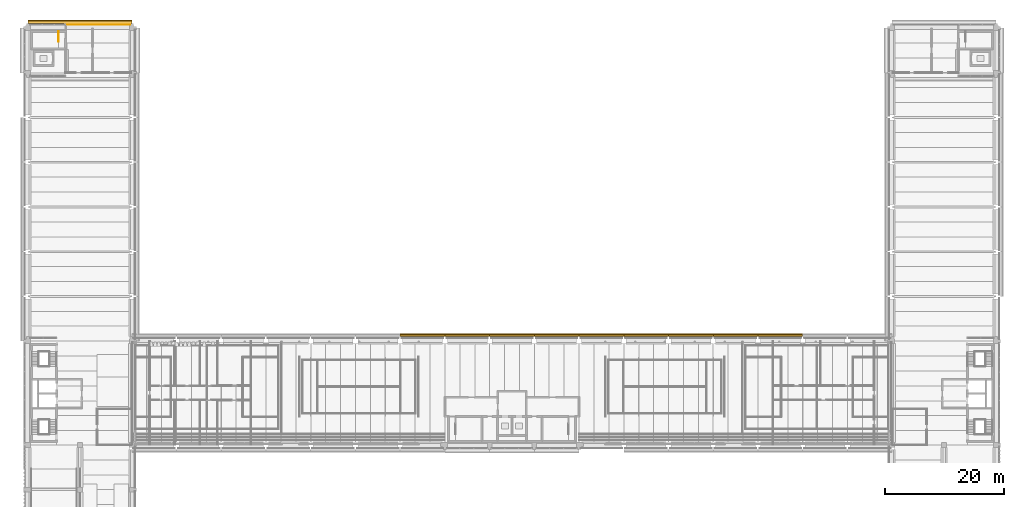
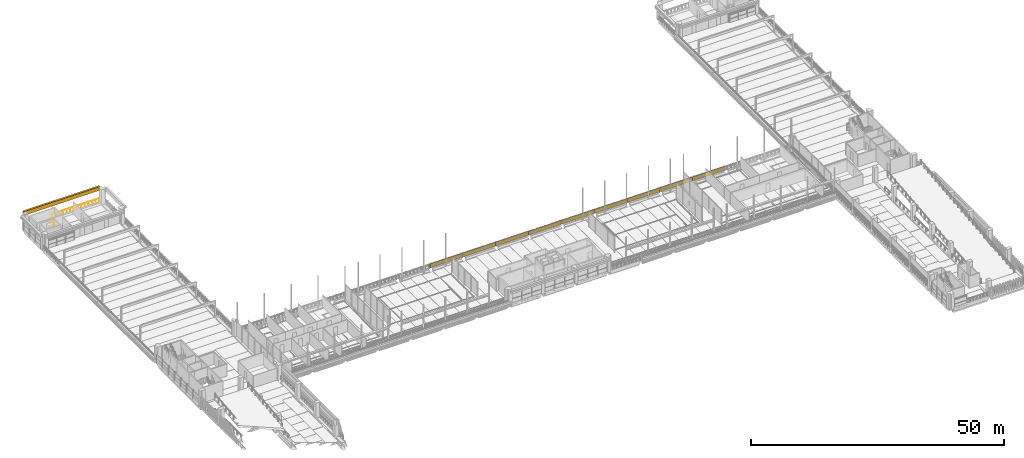
# One storey, part 53 of 62: 10 coverings, 2 railings.
"""IFC4 building model written with IfcOpenShell, lengths in metres."""

from ifc_helpers import new_model, si_unit, direction, frame, origin, origin_2d, place, context, subcontext, project, spatial, polyline, circle, outline, extrude, material, layer, layer_set, type_object, element, save


model = new_model("IFC4")

# Units and contexts
model_context = context("Model", 3, precision=1e-05, world=origin(), true_north=direction((0.0, 1.0)))
body_context = subcontext(model_context, "Body", "Model", "MODEL_VIEW")
ifc_project = project(units=[si_unit("LENGTHUNIT", "METRE"), si_unit("AREAUNIT", "SQUARE_METRE"), si_unit("VOLUMEUNIT", "CUBIC_METRE"), si_unit("PLANEANGLEUNIT", "RADIAN"), si_unit("MASSUNIT", "GRAM", prefix="KILO")], contexts=[model_context])

# Site, building, storey
site_placement = place(None, origin())
site = spatial("IfcSite", under=ifc_project, at=site_placement, CompositionType="ELEMENT")
building_placement = place(site_placement, origin())
building = spatial("IfcBuilding", under=site, at=building_placement, Name="Cour d'Honneur Mobility Palace", CompositionType="ELEMENT")
storey_placement = place(building_placement, frame((0.0, 0.0, 19.300048828125)))
storey = spatial("IfcBuildingStorey", under=building, at=storey_placement, Name="L05", CompositionType="ELEMENT", Elevation=19.300048828125)

# Railing
ifc_material_1 = material(Name="Painted steel", Category="steel")
railing_type_1 = type_object("IfcRailingType", Name="Balustrade", PredefinedType="BALUSTRADE", material=ifc_material_1)
railing_1_placement = place(storey_placement, frame((17.10009765625, 115.449951171875, 0.300048828125)))
element("IfcRailing", 1, at=railing_1_placement, inside=storey, type_object=railing_type_1, Name="Balustrade BAL-331", PredefinedType="BALUSTRADE", context=body_context, shape_type="SweptSolid", body=[
    extrude(circle(Radius=0.02392578125, at=origin_2d()), frame((0.0, 0.0, 0.77587890625), z_axis=(-1.0, 0.0, 0.0), x_axis=(0.0, -1.0, 0.0)), (0.0, 0.0, 1.0), 10.800048828125),
    extrude(circle(Radius=0.02099609375, at=origin_2d()), origin(), (0.0, 0.0, 1.0), 0.751953125),
    extrude(circle(Radius=0.02099609375, at=origin_2d()), frame((-0.830810546875, 0.0, 0.0)), (0.0, 0.0, 1.0), 0.751953125),
    extrude(circle(Radius=0.02099609375, at=origin_2d()), frame((-1.66162109375, 0.0, 0.0)), (0.0, 0.0, 1.0), 0.751953125),
    extrude(circle(Radius=0.02099609375, at=origin_2d()), frame((-2.492431640625, 0.0, 0.0)), (0.0, 0.0, 1.0), 0.751953125),
    extrude(circle(Radius=0.02099609375, at=origin_2d()), frame((-3.322998046875, 0.0, 0.0)), (0.0, 0.0, 1.0), 0.751953125),
    extrude(circle(Radius=0.02099609375, at=origin_2d()), frame((-4.15380859375, 0.0, 0.0)), (0.0, 0.0, 1.0), 0.751953125),
    extrude(circle(Radius=0.02099609375, at=origin_2d()), frame((-4.984619140625, 0.0, 0.0)), (0.0, 0.0, 1.0), 0.751953125),
    extrude(circle(Radius=0.02099609375, at=origin_2d()), frame((-5.8154296875, 0.0, 0.0)), (0.0, 0.0, 1.0), 0.751953125),
    extrude(circle(Radius=0.02099609375, at=origin_2d()), frame((-6.646240234375, 0.0, 0.0)), (0.0, 0.0, 1.0), 0.751953125),
    extrude(circle(Radius=0.02099609375, at=origin_2d()), frame((-7.47705078125, 0.0, 0.0)), (0.0, 0.0, 1.0), 0.751953125),
    extrude(circle(Radius=0.02099609375, at=origin_2d()), frame((-8.3076171875, 0.0, 0.0)), (0.0, 0.0, 1.0), 0.751953125),
    extrude(circle(Radius=0.02099609375, at=origin_2d()), frame((-9.138427734375, 0.0, 0.0)), (0.0, 0.0, 1.0), 0.751953125),
    extrude(circle(Radius=0.02099609375, at=origin_2d()), frame((-9.96923828125, 0.0, 0.0)), (0.0, 0.0, 1.0), 0.751953125),
    extrude(circle(Radius=0.02099609375, at=origin_2d()), frame((-10.800048828125, 0.0, 0.0)), (0.0, 0.0, 1.0), 0.751953125),
])

# Coverings
ifc_material_2 = material(Name="Cast limestone", Category="masonry")
ifc_layer = layer(ifc_material_2, 0.5)
ifc_layer_set = layer_set([ifc_layer], Name="Cast limestone")
covering_type = type_object("IfcCoveringType", Name="Crown cornice", PredefinedType="CLADDING", material=ifc_layer_set)
for number, where, z_axis, x_axis, name in (
    (2, (129.89990234375, 63.199951171875, 0.099853515625), (1.0, 0.0, 0.0), (0.0, 1.0, 0.0), "Crown cornice CN-27"),
    (3, (122.39990234375, 63.199951171875, 0.099853515625), (1.0, 0.0, 0.0), (0.0, 1.0, 0.0), "Crown cornice CN-28"),
    (4, (114.89990234375, 63.199951171875, 0.099853515625), (1.0, 0.0, 0.0), (0.0, 1.0, 0.0), "Crown cornice CN-29"),
    (5, (107.39990234375, 63.199951171875, 0.099853515625), (1.0, 0.0, 0.0), (0.0, 1.0, 0.0), "Crown cornice CN-30"),
    (6, (99.89990234375, 63.199951171875, 0.099853515625), (1.0, 0.0, 0.0), (0.0, 1.0, 0.0), "Crown cornice CN-31"),
    (7, (92.39990234375, 63.199951171875, 0.099853515625), (1.0, 0.0, 0.0), (0.0, 1.0, 0.0), "Crown cornice CN-32"),
    (8, (84.89990234375, 63.199951171875, 0.099853515625), (1.0, 0.0, 0.0), (0.0, 1.0, 0.0), "Crown cornice CN-33"),
    (9, (77.39990234375, 63.199951171875, 0.099853515625), (1.0, 0.0, 0.0), (0.0, 1.0, 0.0), "Crown cornice CN-34"),
    (10, (69.89990234375, 63.199951171875, 0.099853515625), (1.0, 0.0, 0.0), (0.0, 1.0, 0.0), "Crown cornice CN-35"),
):
    element("IfcCovering", number, at=place(storey_placement, frame(where, z_axis=z_axis, x_axis=x_axis)), inside=storey, type_object=covering_type, Name=name, PredefinedType="CLADDING", context=body_context, shape_type="SweptSolid", body=[
        extrude(outline(polyline([(0.0, 0.0), (0.5, 0.0), (0.5, 0.25), (0.380126953125, 0.25), (0.380126953125, 0.5), (0.25, 0.5), (0.25, 0.900146484375), (0.0, 0.900146484375), (0.0, 0.0)])), origin(), (0.0, 0.0, -1.0), 7.5),
    ])
covering_placement = place(storey_placement, frame((17.39990234375, 115.64990234375, 2.800048828125), z_axis=(1.0, 0.0, 0.0), x_axis=(0.0, 1.0, 0.0)))
element("IfcCovering", 11, at=covering_placement, inside=storey, type_object=covering_type, Name="Crown cornice CN-56", PredefinedType="CLADDING", context=body_context, shape_type="SweptSolid", body=[
    extrude(outline(polyline([(0.0, 0.0), (0.2001953125, 0.0), (0.2001953125, 0.2998046875), (0.60009765625, 0.2998046875), (0.60009765625, 0.599853515625), (0.4501953125, 0.599853515625), (0.4501953125, 0.89990234375), (0.0, 0.89990234375), (0.0, 0.0)])), origin(), (0.0, 0.0, -1.0), 17.39990234375),
])

# Railing
ifc_material_3 = material(Name="Painted steel", Category="steel")
railing_type_2 = type_object("IfcRailingType", Name="Guardrail 1100", PredefinedType="GUARDRAIL", material=ifc_material_3)
railing_2_placement = place(storey_placement, frame((5.1201171875, 112.64990234375, 0.0)))
element("IfcRailing", 12, at=railing_2_placement, inside=storey, type_object=railing_type_2, Name="Guard ST-NW1", PredefinedType="GUARDRAIL", context=body_context, shape_type="SweptSolid", body=[
    extrude(circle(Radius=0.02490234375, at=origin_2d()), frame((0.0, 0.0, 1.0751953125), z_axis=(0.0, 1.0, 0.0), x_axis=(-1.0, 0.0, 0.0)), (0.0, 0.0, 1.0), 1.675048828125),
    extrude(circle(Radius=0.02099609375, at=origin_2d()), origin(), (0.0, 0.0, 1.0), 1.050048828125),
    extrude(circle(Radius=0.02099609375, at=origin_2d()), frame((0.0, 0.83740234375, 0.0)), (0.0, 0.0, 1.0), 1.050048828125),
    extrude(circle(Radius=0.02099609375, at=origin_2d()), frame((0.0, 1.675048828125, 0.0)), (0.0, 0.0, 1.0), 1.050048828125),
])

save(model, "model.ifc")
